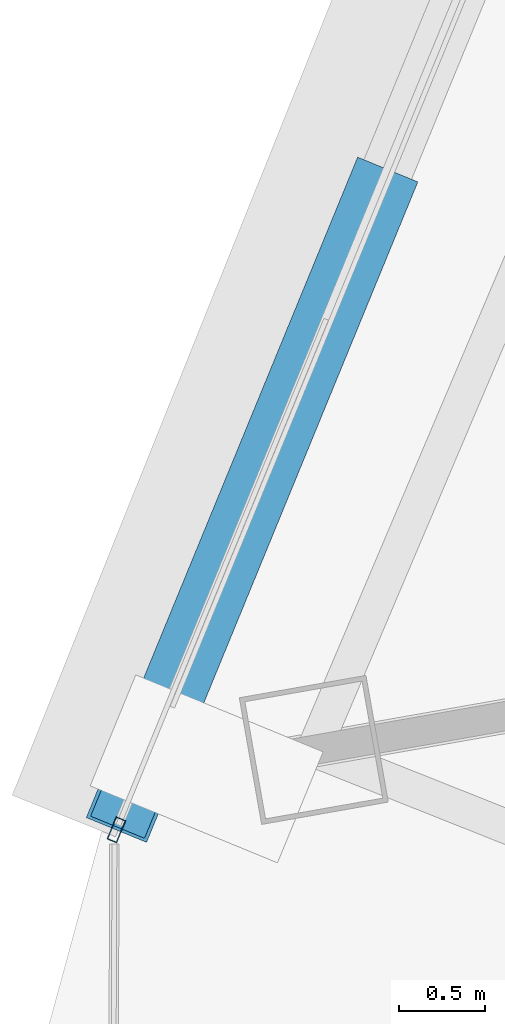
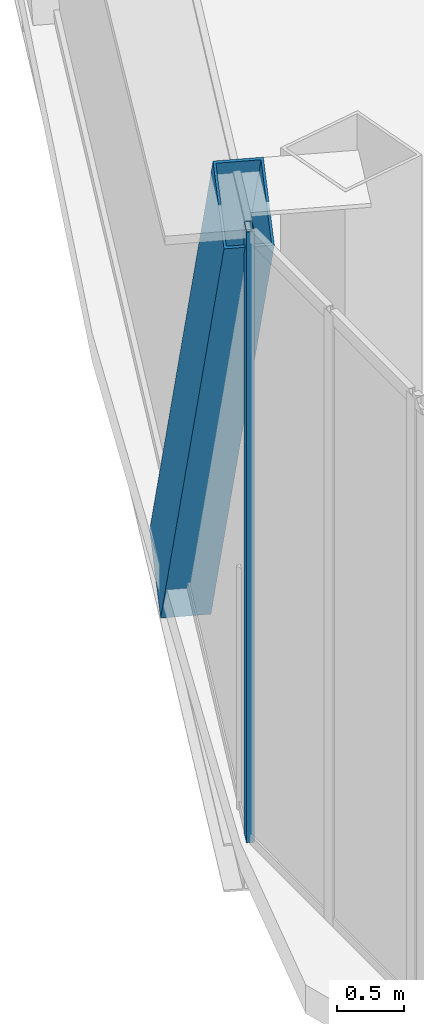
# One storey, part 4 of 33: 2 members, 1 element without a shape of its own.
"""IFC4 building model written with IfcOpenShell, lengths in metres."""

from ifc_helpers import new_model, si_unit, direction, frame, origin, origin_2d, place, context, subcontext, project, spatial, hollow_rectangle, extrude, source, transform, mapped, material, layer, layer_set, material_profile, profile_set, type_object, element, aggregate, save


model = new_model("IFC4")

# Units and contexts
model_context = context("Model", 3, precision=1e-05, world=origin(), true_north=direction((0.0, 1.0)))
body_context = subcontext(model_context, "Body", "Model", "MODEL_VIEW")
ifc_project = project(units=[si_unit("LENGTHUNIT", "METRE"), si_unit("AREAUNIT", "SQUARE_METRE"), si_unit("VOLUMEUNIT", "CUBIC_METRE"), si_unit("PLANEANGLEUNIT", "RADIAN"), si_unit("MASSUNIT", "GRAM", prefix="KILO"), si_unit("THERMODYNAMICTEMPERATUREUNIT", "KELVIN"), si_unit("POWERUNIT", "WATT")], contexts=[model_context])

# Site, building, storey
site_placement = place(None, origin())
site = spatial("IfcSite", under=ifc_project, at=site_placement, CompositionType="ELEMENT")
building_placement = place(site_placement, origin())
building = spatial("IfcBuilding", under=site, at=building_placement, Name="Yunzhuo Pagoda Commons", CompositionType="ELEMENT")
storey_placement = place(building_placement, frame((0.0, 0.0, 314.860107421875)))
storey = spatial("IfcBuildingStorey", under=building, at=storey_placement, Name="L79", CompositionType="ELEMENT", Elevation=314.860107421875)

# Member
ifc_material_1 = material(Name="Structural steel Q355B", Category="steel")
ifc_material_profile_1 = material_profile(ifc_material_1, hollow_rectangle(XDim=0.3798828125, YDim=0.719970703125, WallThickness=0.02001953125, at=origin_2d()), Name="Structural steel Q355B")
ifc_profile_set_1 = profile_set([ifc_material_profile_1], Name="Structural steel Q355B")
member_type_1 = type_object("IfcMemberType", Name="M-DL3 Brace BOX 720x380x20", PredefinedType="BRACE", material=ifc_profile_set_1)
shared_shape_1 = source(origin(), body_context, "Body", "SweptSolid", [
    extrude(hollow_rectangle(XDim=0.3798828125, YDim=0.719970703125, WallThickness=0.02001953125, at=origin_2d()), origin(), (0.0, 0.0, 1.0), 6.8251953125),
])
member_1_placement = place(storey_placement, frame((19.65283203125, 31.746826171875, -0.260009765625), z_axis=(-0.197595579186, -0.481004300022, 0.854160904307), x_axis=(0.924992619868, -0.379985069692, 0.0)))
element("IfcMember", 1, at=member_1_placement, inside=storey, type_object=member_type_1, Name="L79 facade diamond brace F3.3R", PredefinedType="BRACE", context=body_context, shape_type="MappedRepresentation", body=[
    mapped(shared_shape_1, transform((0.0, 0.0, 0.0), scale=1.0)),
])

# Curtain wall, member
ifc_material_2 = material(Name="Anodized aluminium 6063-T6", Category="aluminium")
ifc_layer = layer(ifc_material_2, 0.139892578125)
ifc_layer_set = layer_set([ifc_layer], Name="Anodized aluminium 6063-T6")
curtain_wall_type = type_object("IfcCurtainWallType", Name="CW-HI High-Zone Ribbon Curtain Wall", PredefinedType="NOTDEFINED", material=ifc_layer_set)
curtain_wall_placement = place(storey_placement, origin())
curtain_wall = element("IfcCurtainWall", 2, at=curtain_wall_placement, inside=storey, type_object=curtain_wall_type, Name="L79 curtain wall CW-L79-F3B4", PredefinedType="NOTDEFINED")
ifc_material_profile_2 = material_profile(ifc_material_2, hollow_rectangle(XDim=0.06005859375, YDim=0.139892578125, WallThickness=0.00341796875, at=origin_2d()), Name="Anodized aluminium 6063-T6")
ifc_profile_set_2 = profile_set([ifc_material_profile_2], Name="Anodized aluminium 6063-T6")
member_type_2 = type_object("IfcMemberType", Name="CW-HI-M Mullion RHS 140x60x3.5", PredefinedType="MULLION", material=ifc_profile_set_2)
shared_shape_2 = source(origin(), body_context, "Body", "SweptSolid", [
    extrude(hollow_rectangle(XDim=0.06005859375, YDim=0.139892578125, WallThickness=0.00341796875, at=origin_2d()), origin(), (0.0, 0.0, 1.0), 5.56982421875),
])
member_2_placement = place(storey_placement, frame((18.187255859375, 28.180419921875, 0.0), z_axis=(0.0, 0.0, 1.0), x_axis=(0.924975207531, -0.380027453552, 0.0)))
member_2 = element("IfcMember", 3, at=member_2_placement, type_object=member_type_2, Name="CW mullion 2", PredefinedType="MULLION", context=body_context, shape_type="MappedRepresentation", body=[
    mapped(shared_shape_2, transform((0.0, 0.0, 0.0), scale=1.0)),
])
aggregate(curtain_wall, [member_2])

save(model, "model.ifc")
